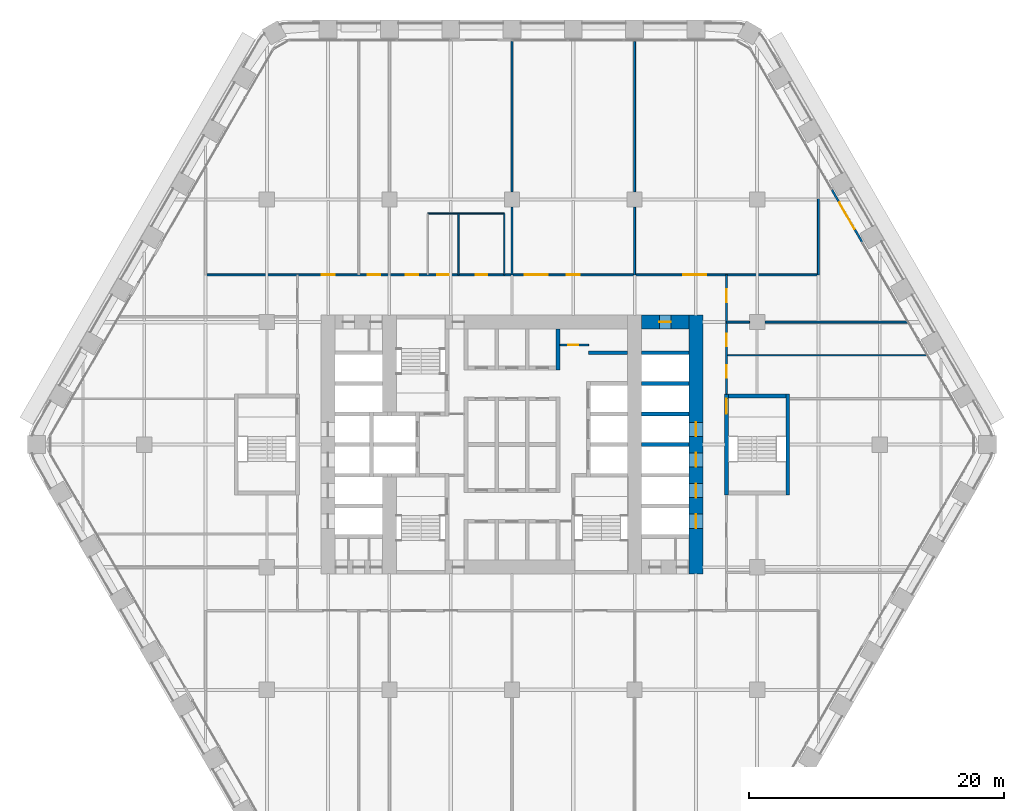
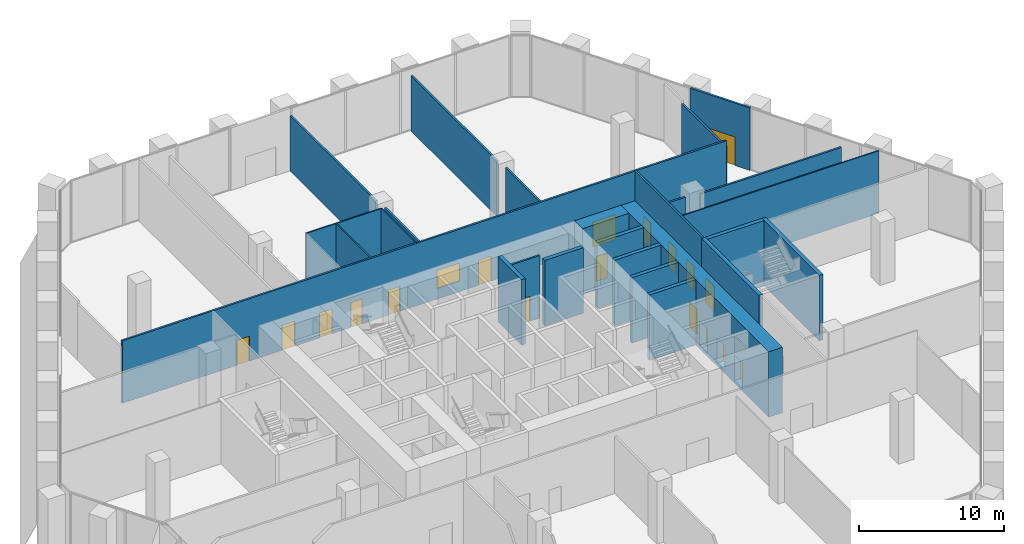
# One storey, part 21 of 27: 26 walls, 18 doors, 1 window, 19 openings.
"""IFC4 building model written with IfcOpenShell, lengths in metres."""

from ifc_helpers import new_model, si_unit, direction, frame, frame_2d, origin, place, context, subcontext, project, spatial, rectangle, extrude, material, layer, layer_set, type_object, element, fill, save


model = new_model("IFC4")

# Units and contexts
model_context = context("Model", 3, precision=1e-05, world=origin(), true_north=direction((0.0, 1.0)))
body_context = subcontext(model_context, "Body", "Model", "MODEL_VIEW")
ifc_project = project(units=[si_unit("LENGTHUNIT", "METRE"), si_unit("AREAUNIT", "SQUARE_METRE"), si_unit("VOLUMEUNIT", "CUBIC_METRE"), si_unit("PLANEANGLEUNIT", "RADIAN"), si_unit("MASSUNIT", "GRAM", prefix="KILO")], contexts=[model_context])

# Site, building, storey
site_placement = place(None, origin())
site = spatial("IfcSite", under=ifc_project, at=site_placement, CompositionType="ELEMENT")
building_placement = place(site_placement, origin())
building = spatial("IfcBuilding", under=site, at=building_placement, Name="Kolab Exchange Tower", CompositionType="ELEMENT")
storey_placement = place(building_placement, frame((0.0, 0.0, 44.39990234375)))
storey = spatial("IfcBuildingStorey", under=building, at=storey_placement, Name="L08", CompositionType="ELEMENT", Elevation=44.39990234375)

# Wall, opening, door
ifc_material_1 = material(Name="Concrete C80/95", Category="concrete")
ifc_layer_1 = layer(ifc_material_1, 1.10009765625)
ifc_layer_set_1 = layer_set([ifc_layer_1], Name="Concrete C80/95")
wall_type_1 = type_object("IfcWallType", Name="CORE WALL 1100 C80/95", PredefinedType="SHEAR", material=ifc_layer_set_1)
wall_1_placement = place(storey_placement, frame((10.14990234375, 9.60009765625, -0.25), z_axis=(0.0, 0.0, 1.0), x_axis=(1.0, 0.0, 0.0)))
wall_1 = element("IfcWall", 1, at=wall_1_placement, inside=storey, type_object=wall_type_1, Name="wall/L08/core/053", PredefinedType="SHEAR", context=body_context, shape_type="SweptSolid", body=[
    extrude(rectangle(XDim=3.7001953125, YDim=1.10009765625, at=frame_2d((1.85009765625, 0.0))), origin(), (0.0, 0.0, 1.0), 5.5),
])
opening_1_placement = place(wall_1_placement, frame((1.39990234375, 0.0, 0.25)))
opening_1 = element("IfcOpeningElement", 2, at=opening_1_placement, cuts=wall_1, Name="Opening D6-114", PredefinedType="OPENING", context=body_context, shape_type="SweptSolid", body=[
    extrude(rectangle(XDim=0.89990234375, YDim=2.10009765625, at=frame_2d((0.449951171875, 1.050048828125))), frame((0.0, 0.56005859375, 0.0), z_axis=(0.0, -1.0, 0.0), x_axis=(1.0, 0.0, 0.0)), (0.0, 0.0, 1.0), 1.1201171875),
])
ifc_material_2 = material(Name="Steel S235", Category="steel")
door_type_1 = type_object("IfcDoorType", Name="CORE DOOR 900 EI 120", OperationType="SINGLE_SWING_LEFT", PredefinedType="DOOR", material=ifc_material_2)
door_1_placement = place(opening_1_placement, frame((0.89990234375, 0.0, 0.0), z_axis=(0.0, 0.0, 1.0), x_axis=(-1.0, 0.0, 0.0)))
door_1 = element("IfcDoor", 3, at=door_1_placement, inside=storey, type_object=door_type_1, Name="Service room door", OperationType="SINGLE_SWING_LEFT", OverallHeight=2.10009765625, OverallWidth=0.89990234375, PredefinedType="DOOR", context=body_context, shape_type="SweptSolid", body=[
    extrude(rectangle(XDim=0.89990234375, YDim=2.10009765625, at=frame_2d((0.449951171875, 1.050048828125))), frame((0.0, 0.02490234375, 0.0), z_axis=(0.0, -1.0, 0.0), x_axis=(1.0, 0.0, 0.0)), (0.0, 0.0, 1.0), 0.050048828125),
])
fill(opening_1, door_1)

# Wall, openings, doors
wall_2_placement = place(storey_placement, frame((14.39990234375, -10.14990234375, -0.25), z_axis=(0.0, 0.0, 1.0), x_axis=(0.0, 1.0, 0.0)))
wall_2 = element("IfcWall", 4, at=wall_2_placement, inside=storey, type_object=wall_type_1, Name="wall/L08/core/081", PredefinedType="SHEAR", context=body_context, shape_type="SweptSolid", body=[
    extrude(rectangle(XDim=20.2998046875, YDim=1.10009765625, at=frame_2d((10.14990234375, 0.0))), origin(), (0.0, 0.0, 1.0), 5.5),
])
opening_2_placement = place(wall_2_placement, frame((3.60009765625, 0.0, 0.25)))
opening_2 = element("IfcOpeningElement", 5, at=opening_2_placement, cuts=wall_2, Name="Opening LD1-037", PredefinedType="OPENING", context=body_context, shape_type="SweptSolid", body=[
    extrude(rectangle(XDim=1.10009765625, YDim=2.10009765625, at=frame_2d((0.550048828125, 1.050048828125))), frame((0.0, 0.56005859375, 0.0), z_axis=(0.0, -1.0, 0.0), x_axis=(1.0, 0.0, 0.0)), (0.0, 0.0, 1.0), 1.1201171875),
])
opening_3_placement = place(wall_2_placement, frame((6.0, 0.0, 0.25)))
opening_3 = element("IfcOpeningElement", 6, at=opening_3_placement, cuts=wall_2, Name="Opening LD1-038", PredefinedType="OPENING", context=body_context, shape_type="SweptSolid", body=[
    extrude(rectangle(XDim=1.10009765625, YDim=2.10009765625, at=frame_2d((0.550048828125, 1.050048828125))), frame((0.0, 0.56005859375, 0.0), z_axis=(0.0, -1.0, 0.0), x_axis=(1.0, 0.0, 0.0)), (0.0, 0.0, 1.0), 1.1201171875),
])
opening_4_placement = place(wall_2_placement, frame((8.39990234375, 0.0, 0.25)))
opening_4 = element("IfcOpeningElement", 7, at=opening_4_placement, cuts=wall_2, Name="Opening LD1-039", PredefinedType="OPENING", context=body_context, shape_type="SweptSolid", body=[
    extrude(rectangle(XDim=1.10009765625, YDim=2.10009765625, at=frame_2d((0.550048828125, 1.050048828125))), frame((0.0, 0.56005859375, 0.0), z_axis=(0.0, -1.0, 0.0), x_axis=(1.0, 0.0, 0.0)), (0.0, 0.0, 1.0), 1.1201171875),
])
opening_5_placement = place(wall_2_placement, frame((10.800048828125, 0.0, 0.25)))
opening_5 = element("IfcOpeningElement", 8, at=opening_5_placement, cuts=wall_2, Name="Opening LD1-040", PredefinedType="OPENING", context=body_context, shape_type="SweptSolid", body=[
    extrude(rectangle(XDim=1.10009765625, YDim=2.10009765625, at=frame_2d((0.550048828125, 1.050048828125))), frame((0.0, 0.56005859375, 0.0), z_axis=(0.0, -1.0, 0.0), x_axis=(1.0, 0.0, 0.0)), (0.0, 0.0, 1.0), 1.1201171875),
])
ifc_material_3 = material(Name="Stainless steel 316", Category="steel")
door_type_2 = type_object("IfcDoorType", Name="LANDING DOOR 1100 PASSENGER", OperationType="DOUBLE_DOOR_SLIDING", PredefinedType="DOOR", material=ifc_material_3)
door_2_placement = place(opening_2_placement, origin())
door_2 = element("IfcDoor", 9, at=door_2_placement, inside=storey, type_object=door_type_2, Name="Landing door LR1", OperationType="DOUBLE_DOOR_SLIDING", OverallHeight=2.10009765625, OverallWidth=1.10009765625, PredefinedType="DOOR", context=body_context, shape_type="SweptSolid", body=[
    extrude(rectangle(XDim=1.10009765625, YDim=2.10009765625, at=frame_2d((0.550048828125, 1.050048828125))), frame((0.0, 0.02490234375, 0.0), z_axis=(0.0, -1.0, 0.0), x_axis=(1.0, 0.0, 0.0)), (0.0, 0.0, 1.0), 0.050048828125),
])
fill(opening_2, door_2)
door_3_placement = place(opening_3_placement, origin())
door_3 = element("IfcDoor", 10, at=door_3_placement, inside=storey, type_object=door_type_2, Name="Landing door LR2", OperationType="DOUBLE_DOOR_SLIDING", OverallHeight=2.10009765625, OverallWidth=1.10009765625, PredefinedType="DOOR", context=body_context, shape_type="SweptSolid", body=[
    extrude(rectangle(XDim=1.10009765625, YDim=2.10009765625, at=frame_2d((0.550048828125, 1.050048828125))), frame((0.0, 0.02490234375, 0.0), z_axis=(0.0, -1.0, 0.0), x_axis=(1.0, 0.0, 0.0)), (0.0, 0.0, 1.0), 0.050048828125),
])
fill(opening_3, door_3)
door_4_placement = place(opening_4_placement, origin())
door_4 = element("IfcDoor", 11, at=door_4_placement, inside=storey, type_object=door_type_2, Name="Landing door LR3", OperationType="DOUBLE_DOOR_SLIDING", OverallHeight=2.10009765625, OverallWidth=1.10009765625, PredefinedType="DOOR", context=body_context, shape_type="SweptSolid", body=[
    extrude(rectangle(XDim=1.10009765625, YDim=2.10009765625, at=frame_2d((0.550048828125, 1.050048828125))), frame((0.0, 0.02490234375, 0.0), z_axis=(0.0, -1.0, 0.0), x_axis=(1.0, 0.0, 0.0)), (0.0, 0.0, 1.0), 0.050048828125),
])
fill(opening_4, door_4)
door_5_placement = place(opening_5_placement, origin())
door_5 = element("IfcDoor", 12, at=door_5_placement, inside=storey, type_object=door_type_2, Name="Landing door LR4", OperationType="DOUBLE_DOOR_SLIDING", OverallHeight=2.10009765625, OverallWidth=1.10009765625, PredefinedType="DOOR", context=body_context, shape_type="SweptSolid", body=[
    extrude(rectangle(XDim=1.10009765625, YDim=2.10009765625, at=frame_2d((0.550048828125, 1.050048828125))), frame((0.0, 0.02490234375, 0.0), z_axis=(0.0, -1.0, 0.0), x_axis=(1.0, 0.0, 0.0)), (0.0, 0.0, 1.0), 0.050048828125),
])
fill(opening_5, door_5)

# Wall, opening, door
ifc_material_4 = material(Name="Aluminium EN AW-6063 T6", Category="aluminium")
ifc_layer_2 = layer(ifc_material_4, 0.159912109375)
ifc_layer_set_2 = layer_set([ifc_layer_2], Name="Aluminium EN AW-6063 T6")
wall_type_2 = type_object("IfcWallType", Name="DOOR SURROUND WALL 160 ALUMINIUM FRAMED", PredefinedType="PARTITIONING", material=ifc_layer_set_2)
wall_3_placement = place(storey_placement, frame((25.046630859375, 19.96875, 0.0), z_axis=(0.0, 0.0, 1.0), x_axis=(0.5000167099, -0.866015756104, 0.0)))
wall_3 = element("IfcWall", 13, at=wall_3_placement, inside=storey, type_object=wall_type_2, Name="Door surround wall", PredefinedType="PARTITIONING", context=body_context, shape_type="SweptSolid", body=[
    extrude(rectangle(XDim=4.739990234375, YDim=0.159912109375, at=frame_2d((2.3701171875, 0.0))), origin(), (0.0, 0.0, 1.0), 5.25),
])
opening_6_placement = place(wall_3_placement, frame((1.169921875, 0.0, 0.0)))
opening_6 = element("IfcOpeningElement", 14, at=opening_6_placement, cuts=wall_3, Name="Opening GD1-018", PredefinedType="OPENING", context=body_context, shape_type="SweptSolid", body=[
    extrude(rectangle(XDim=2.39990234375, YDim=2.39990234375, at=frame_2d((1.199951171875, 1.199951171875))), frame((0.0, 0.08984375, 0.0), z_axis=(0.0, -1.0, 0.0), x_axis=(1.0, 0.0, 0.0)), (0.0, 0.0, 1.0), 0.179931640625),
])
door_type_3 = type_object("IfcDoorType", Name="LOGGIA SLIDING GLASS DOOR 2400 X 2400", OperationType="DOUBLE_DOOR_SINGLE_SWING", PredefinedType="DOOR", material=ifc_material_4)
door_6_placement = place(opening_6_placement, origin())
door_6 = element("IfcDoor", 15, at=door_6_placement, inside=storey, type_object=door_type_3, Name="Loggia door", OperationType="DOUBLE_DOOR_SLIDING", OverallHeight=2.39990234375, OverallWidth=2.39990234375, PredefinedType="DOOR", context=body_context, shape_type="SweptSolid", body=[
    extrude(rectangle(XDim=2.39990234375, YDim=2.39990234375, at=frame_2d((1.199951171875, 1.199951171875))), frame((0.0, 0.02490234375, 0.0), z_axis=(0.0, -1.0, 0.0), x_axis=(1.0, 0.0, 0.0)), (0.0, 0.0, 1.0), 0.050048828125),
])
fill(opening_6, door_6)

# Walls
ifc_material_5 = material(Name="Concrete C50/60", Category="concrete")
ifc_layer_3 = layer(ifc_material_5, 0.300048828125)
ifc_layer_set_3 = layer_set([ifc_layer_3], Name="Concrete C50/60")
wall_type_3 = type_object("IfcWallType", Name="LIFT SHAFT WALL 300 C50/60", PredefinedType="STANDARD", material=ifc_layer_set_3)
for number, where, z_axis, x_axis, name in (
    (16, (10.14990234375, 0.0, -0.25), (0.0, 0.0, 1.0), (1.0, 0.0, 0.0), "wall/L08/core/030"),
    (17, (10.14990234375, 2.39990234375, -0.25), (0.0, 0.0, 1.0), (1.0, 0.0, 0.0), "wall/L08/core/036"),
    (18, (10.14990234375, 4.800048828125, -0.25), (0.0, 0.0, 1.0), (1.0, 0.0, 0.0), "wall/L08/core/044"),
):
    element("IfcWall", number, at=place(storey_placement, frame(where, z_axis=z_axis, x_axis=x_axis)), inside=storey, type_object=wall_type_3, Name=name, PredefinedType="STANDARD", context=body_context, shape_type="SweptSolid", body=[
        extrude(rectangle(XDim=3.7001953125, YDim=0.300048828125, at=frame_2d((1.85009765625, 0.0))), origin(), (0.0, 0.0, 1.0), 5.5),
    ])
wall_4_placement = place(storey_placement, frame((6.0, 7.199951171875, -0.25), z_axis=(0.0, 0.0, 1.0), x_axis=(1.0, 0.0, 0.0)))
element("IfcWall", 19, at=wall_4_placement, inside=storey, type_object=wall_type_3, Name="wall/L08/core/049", PredefinedType="STANDARD", context=body_context, shape_type="SweptSolid", body=[
    extrude(rectangle(XDim=3.050048828125, YDim=0.300048828125, at=frame_2d((1.52490234375, 0.0))), origin(), (0.0, 0.0, 1.0), 5.5),
])
wall_5_placement = place(storey_placement, frame((10.14990234375, 7.199951171875, -0.25), z_axis=(0.0, 0.0, 1.0), x_axis=(1.0, 0.0, 0.0)))
element("IfcWall", 20, at=wall_5_placement, inside=storey, type_object=wall_type_3, Name="wall/L08/core/050", PredefinedType="STANDARD", context=body_context, shape_type="SweptSolid", body=[
    extrude(rectangle(XDim=3.7001953125, YDim=0.300048828125, at=frame_2d((1.85009765625, 0.0))), origin(), (0.0, 0.0, 1.0), 5.5),
])
wall_6_placement = place(storey_placement, frame((3.60009765625, 5.85009765625, -0.25), z_axis=(0.0, 0.0, 1.0), x_axis=(0.0, 1.0, 0.0)))
element("IfcWall", 21, at=wall_6_placement, inside=storey, type_object=wall_type_3, Name="wall/L08/core/077", PredefinedType="STANDARD", context=body_context, shape_type="SweptSolid", body=[
    extrude(rectangle(XDim=3.199951171875, YDim=0.300048828125, at=frame_2d((1.60009765625, 0.0))), origin(), (0.0, 0.0, 1.0), 5.5),
])
ifc_material_6 = material(Name="Gypsum board", Category="gypsum")
ifc_layer_4 = layer(ifc_material_6, 0.10009765625)
ifc_layer_set_4 = layer_set([ifc_layer_4], Name="Gypsum board")
wall_type_4 = type_object("IfcWallType", Name="PARTITION 100", PredefinedType="PARTITIONING", material=ifc_layer_set_4)
for number, where, z_axis, x_axis, name in (
    (22, (-0.60009765625, 13.300048828125, 0.0), (0.0, 0.0, 1.0), (0.0, 1.0, 0.0), "Partition 013"),
    (23, (-4.199951171875, 13.300048828125, 0.0), (0.0, 0.0, 1.0), (0.0, 1.0, 0.0), "Partition 014"),
):
    element("IfcWall", number, at=place(storey_placement, frame(where, z_axis=z_axis, x_axis=x_axis)), inside=storey, type_object=wall_type_4, Name=name, PredefinedType="PARTITIONING", context=body_context, shape_type="SweptSolid", body=[
        extrude(rectangle(XDim=4.800048828125, YDim=0.10009765625, at=frame_2d((2.39990234375, 0.0))), origin(), (0.0, 0.0, 1.0), 5.25),
    ])
wall_7_placement = place(storey_placement, frame((16.800048828125, 7.0, 0.0), z_axis=(0.0, 0.0, 1.0), x_axis=(1.0, 0.0, 0.0)))
element("IfcWall", 24, at=wall_7_placement, inside=storey, type_object=wall_type_4, Name="Partition 039", PredefinedType="PARTITIONING", context=body_context, shape_type="SweptSolid", body=[
    extrude(rectangle(XDim=15.687744140625, YDim=0.10009765625, at=frame_2d((7.84375, 0.0))), origin(), (0.0, 0.0, 1.0), 5.25),
])
wall_8_placement = place(storey_placement, frame((-6.60009765625, 18.10009765625, 0.0), z_axis=(0.0, 0.0, 1.0), x_axis=(1.0, 0.0, 0.0)))
element("IfcWall", 25, at=wall_8_placement, inside=storey, type_object=wall_type_4, Name="Partition 046", PredefinedType="PARTITIONING", context=body_context, shape_type="SweptSolid", body=[
    extrude(rectangle(XDim=6.0, YDim=0.10009765625, at=frame_2d((3.0, 0.0))), origin(), (0.0, 0.0, 1.0), 5.25),
])
ifc_layer_5 = layer(ifc_material_6, 0.14990234375)
ifc_layer_set_5 = layer_set([ifc_layer_5], Name="Gypsum board")
wall_type_5 = type_object("IfcWallType", Name="PARTITION 150 FIRE-RATED", PredefinedType="PARTITIONING", material=ifc_layer_set_5)
wall_9_placement = place(storey_placement, frame((24.0, 13.300048828125, 0.0), z_axis=(0.0, 0.0, 1.0), x_axis=(0.0, 1.0, 0.0)))
element("IfcWall", 26, at=wall_9_placement, inside=storey, type_object=wall_type_5, Name="Partition 001", PredefinedType="PARTITIONING", context=body_context, shape_type="SweptSolid", body=[
    extrude(rectangle(XDim=5.973876953125, YDim=0.14990234375, at=frame_2d((2.98681640625, 0.0))), origin(), (0.0, 0.0, 1.0), 4.717041015625),
])

# Wall, openings, doors
wall_10_placement = place(storey_placement, frame((16.800048828125, 3.949951171875, 0.0), z_axis=(0.0, 0.0, 1.0), x_axis=(0.0, 1.0, 0.0)))
wall_10 = element("IfcWall", 27, at=wall_10_placement, inside=storey, type_object=wall_type_5, Name="Partition 003", PredefinedType="PARTITIONING", context=body_context, shape_type="SweptSolid", body=[
    extrude(rectangle(XDim=9.35009765625, YDim=0.14990234375, at=frame_2d((4.675048828125, 0.0))), origin(), (0.0, 0.0, 1.0), 5.25),
])
opening_7_placement = place(wall_10_placement, frame((1.27490234375, 0.0, 0.0)))
opening_7 = element("IfcOpeningElement", 28, at=opening_7_placement, cuts=wall_10, Name="Opening D1-117", PredefinedType="OPENING", context=body_context, shape_type="SweptSolid", body=[
    extrude(rectangle(XDim=1.0, YDim=2.10009765625, at=frame_2d((0.5, 1.050048828125))), frame((0.0, 0.0849609375, 0.0), z_axis=(0.0, -1.0, 0.0), x_axis=(1.0, 0.0, 0.0)), (0.0, 0.0, 1.0), 0.169921875),
])
opening_8_placement = place(wall_10_placement, frame((3.7451171875, 0.0, 0.0)))
opening_8 = element("IfcOpeningElement", 29, at=opening_8_placement, cuts=wall_10, Name="Opening D1-118", PredefinedType="OPENING", context=body_context, shape_type="SweptSolid", body=[
    extrude(rectangle(XDim=1.0, YDim=2.10009765625, at=frame_2d((0.5, 1.050048828125))), frame((0.0, 0.0849609375, 0.0), z_axis=(0.0, -1.0, 0.0), x_axis=(1.0, 0.0, 0.0)), (0.0, 0.0, 1.0), 0.169921875),
])
opening_9_placement = place(wall_10_placement, frame((7.199951171875, 0.0, 0.0)))
opening_9 = element("IfcOpeningElement", 30, at=opening_9_placement, cuts=wall_10, Name="Opening D1-119", PredefinedType="OPENING", context=body_context, shape_type="SweptSolid", body=[
    extrude(rectangle(XDim=1.0, YDim=2.10009765625, at=frame_2d((0.5, 1.050048828125))), frame((0.0, 0.0849609375, 0.0), z_axis=(0.0, -1.0, 0.0), x_axis=(1.0, 0.0, 0.0)), (0.0, 0.0, 1.0), 0.169921875),
])
door_type_4 = type_object("IfcDoorType", Name="FLUSH DOOR 1000 FD60", OperationType="SINGLE_SWING_LEFT", PredefinedType="DOOR", material=ifc_material_2)
door_7_placement = place(opening_7_placement, frame((1.0, 0.0, 0.0), z_axis=(0.0, 0.0, 1.0), x_axis=(-1.0, 0.0, 0.0)))
door_7 = element("IfcDoor", 31, at=door_7_placement, inside=storey, type_object=door_type_4, Name="Door L08-061", OperationType="SINGLE_SWING_RIGHT", OverallHeight=2.10009765625, OverallWidth=1.0, PredefinedType="DOOR", context=body_context, shape_type="SweptSolid", body=[
    extrude(rectangle(XDim=1.0, YDim=2.10009765625, at=frame_2d((0.5, 1.050048828125))), frame((0.0, 0.02490234375, 0.0), z_axis=(0.0, -1.0, 0.0), x_axis=(1.0, 0.0, 0.0)), (0.0, 0.0, 1.0), 0.050048828125),
])
fill(opening_7, door_7)
door_8_placement = place(opening_8_placement, frame((1.0, 0.0, 0.0), z_axis=(0.0, 0.0, 1.0), x_axis=(-1.0, 0.0, 0.0)))
door_8 = element("IfcDoor", 32, at=door_8_placement, inside=storey, type_object=door_type_4, Name="Door L08-062", OperationType="SINGLE_SWING_LEFT", OverallHeight=2.10009765625, OverallWidth=1.0, PredefinedType="DOOR", context=body_context, shape_type="SweptSolid", body=[
    extrude(rectangle(XDim=1.0, YDim=2.10009765625, at=frame_2d((0.5, 1.050048828125))), frame((0.0, 0.02490234375, 0.0), z_axis=(0.0, -1.0, 0.0), x_axis=(1.0, 0.0, 0.0)), (0.0, 0.0, 1.0), 0.050048828125),
])
fill(opening_8, door_8)
door_9_placement = place(opening_9_placement, frame((1.0, 0.0, 0.0), z_axis=(0.0, 0.0, 1.0), x_axis=(-1.0, 0.0, 0.0)))
door_9 = element("IfcDoor", 33, at=door_9_placement, inside=storey, type_object=door_type_4, Name="Door L08-063", OperationType="SINGLE_SWING_RIGHT", OverallHeight=2.10009765625, OverallWidth=1.0, PredefinedType="DOOR", context=body_context, shape_type="SweptSolid", body=[
    extrude(rectangle(XDim=1.0, YDim=2.10009765625, at=frame_2d((0.5, 1.050048828125))), frame((0.0, 0.02490234375, 0.0), z_axis=(0.0, -1.0, 0.0), x_axis=(1.0, 0.0, 0.0)), (0.0, 0.0, 1.0), 0.050048828125),
])
fill(opening_9, door_9)

# Walls
wall_11_placement = place(storey_placement, frame((9.60009765625, 13.300048828125, 0.0), z_axis=(0.0, 0.0, 1.0), x_axis=(0.0, 1.0, 0.0)))
element("IfcWall", 34, at=wall_11_placement, inside=storey, type_object=wall_type_5, Name="Partition 007", PredefinedType="PARTITIONING", context=body_context, shape_type="SweptSolid", body=[
    extrude(rectangle(XDim=5.300048828125, YDim=0.14990234375, at=frame_2d((2.64990234375, 0.0))), origin(), (0.0, 0.0, 1.0), 4.793212890625),
])
wall_12_placement = place(storey_placement, frame((9.60009765625, 19.800048828125, 0.0), z_axis=(0.0, 0.0, 1.0), x_axis=(0.0, 1.0, 0.0)))
element("IfcWall", 35, at=wall_12_placement, inside=storey, type_object=wall_type_5, Name="Partition 008", PredefinedType="PARTITIONING", context=body_context, shape_type="SweptSolid", body=[
    extrude(rectangle(XDim=11.785400390625, YDim=0.14990234375, at=frame_2d((5.892578125, 0.0))), origin(), (0.0, 0.0, 1.0), 4.64208984375),
])
wall_13_placement = place(storey_placement, frame((0.0, 13.300048828125, 0.0), z_axis=(0.0, 0.0, 1.0), x_axis=(0.0, 1.0, 0.0)))
element("IfcWall", 36, at=wall_13_placement, inside=storey, type_object=wall_type_5, Name="Partition 011", PredefinedType="PARTITIONING", context=body_context, shape_type="SweptSolid", body=[
    extrude(rectangle(XDim=5.300048828125, YDim=0.14990234375, at=frame_2d((2.64990234375, 0.0))), origin(), (0.0, 0.0, 1.0), 4.793212890625),
])
wall_14_placement = place(storey_placement, frame((0.0, 19.800048828125, 0.0), z_axis=(0.0, 0.0, 1.0), x_axis=(0.0, 1.0, 0.0)))
element("IfcWall", 37, at=wall_14_placement, inside=storey, type_object=wall_type_5, Name="Partition 012", PredefinedType="PARTITIONING", context=body_context, shape_type="SweptSolid", body=[
    extrude(rectangle(XDim=11.79541015625, YDim=0.14990234375, at=frame_2d((5.897705078125, 0.0))), origin(), (0.0, 0.0, 1.0), 4.64208984375),
])

# Wall, opening, door
wall_15_placement = place(storey_placement, frame((3.75, 7.800048828125, 0.0), z_axis=(0.0, 0.0, 1.0), x_axis=(1.0, 0.0, 0.0)))
wall_15 = element("IfcWall", 38, at=wall_15_placement, inside=storey, type_object=wall_type_5, Name="Partition 040", PredefinedType="PARTITIONING", context=body_context, shape_type="SweptSolid", body=[
    extrude(rectangle(XDim=2.25, YDim=0.14990234375, at=frame_2d((1.125, 0.0))), origin(), (0.0, 0.0, 1.0), 5.25),
])
opening_10_placement = place(wall_15_placement, frame((0.64990234375, 0.0, 0.0)))
opening_10 = element("IfcOpeningElement", 39, at=opening_10_placement, cuts=wall_15, Name="Opening D7-009", PredefinedType="OPENING", context=body_context, shape_type="SweptSolid", body=[
    extrude(rectangle(XDim=0.800048828125, YDim=2.10009765625, at=frame_2d((0.39990234375, 1.050048828125))), frame((0.0, 0.0849609375, 0.0), z_axis=(0.0, -1.0, 0.0), x_axis=(1.0, 0.0, 0.0)), (0.0, 0.0, 1.0), 0.169921875),
])
door_type_5 = type_object("IfcDoorType", Name="FLUSH DOOR 800 FD60", OperationType="SINGLE_SWING_LEFT", PredefinedType="DOOR", material=ifc_material_2)
door_10_placement = place(opening_10_placement, origin())
door_10 = element("IfcDoor", 40, at=door_10_placement, inside=storey, type_object=door_type_5, Name="Door L08-041", OperationType="SINGLE_SWING_LEFT", OverallHeight=2.10009765625, OverallWidth=0.800048828125, PredefinedType="DOOR", context=body_context, shape_type="SweptSolid", body=[
    extrude(rectangle(XDim=0.800048828125, YDim=2.10009765625, at=frame_2d((0.39990234375, 1.050048828125))), frame((0.0, 0.02490234375, 0.0), z_axis=(0.0, -1.0, 0.0), x_axis=(1.0, 0.0, 0.0)), (0.0, 0.0, 1.0), 0.050048828125),
])
fill(opening_10, door_10)

# Walls
wall_16_placement = place(storey_placement, frame((16.800048828125, 9.60009765625, 0.0), z_axis=(0.0, 0.0, 1.0), x_axis=(1.0, 0.0, 0.0)))
element("IfcWall", 41, at=wall_16_placement, inside=storey, type_object=wall_type_5, Name="Partition 041", PredefinedType="PARTITIONING", context=body_context, shape_type="SweptSolid", body=[
    extrude(rectangle(XDim=1.800048828125, YDim=0.14990234375, at=frame_2d((0.89990234375, 0.0))), origin(), (0.0, 0.0, 1.0), 4.64208984375),
])
wall_17_placement = place(storey_placement, frame((19.800048828125, 9.60009765625, 0.0), z_axis=(0.0, 0.0, 1.0), x_axis=(1.0, 0.0, 0.0)))
element("IfcWall", 42, at=wall_17_placement, inside=storey, type_object=wall_type_5, Name="Partition 042", PredefinedType="PARTITIONING", context=body_context, shape_type="SweptSolid", body=[
    extrude(rectangle(XDim=11.186767578125, YDim=0.14990234375, at=frame_2d((5.59326171875, 0.0))), origin(), (0.0, 0.0, 1.0), 4.488037109375),
])

# Wall, openings, doors, window
wall_18_placement = place(storey_placement, frame((-24.0, 13.300048828125, 0.0), z_axis=(0.0, 0.0, 1.0), x_axis=(1.0, 0.0, 0.0)))
wall_18 = element("IfcWall", 43, at=wall_18_placement, inside=storey, type_object=wall_type_5, Name="Partition 045", PredefinedType="PARTITIONING", context=body_context, shape_type="SweptSolid", body=[
    extrude(rectangle(XDim=48.0, YDim=0.14990234375, at=frame_2d((24.0, 0.0))), origin(), (0.0, 0.0, 1.0), 5.25),
])
opening_11_placement = place(wall_18_placement, frame((9.10009765625, 0.0, 0.0)))
opening_11 = element("IfcOpeningElement", 44, at=opening_11_placement, cuts=wall_18, Name="Opening D1-109", PredefinedType="OPENING", context=body_context, shape_type="SweptSolid", body=[
    extrude(rectangle(XDim=1.0, YDim=2.10009765625, at=frame_2d((0.5, 1.050048828125))), frame((0.0, 0.0849609375, 0.0), z_axis=(0.0, -1.0, 0.0), x_axis=(1.0, 0.0, 0.0)), (0.0, 0.0, 1.0), 0.169921875),
])
opening_12_placement = place(wall_18_placement, frame((12.699951171875, 0.0, 0.0)))
opening_12 = element("IfcOpeningElement", 45, at=opening_12_placement, cuts=wall_18, Name="Opening D1-110", PredefinedType="OPENING", context=body_context, shape_type="SweptSolid", body=[
    extrude(rectangle(XDim=1.0, YDim=2.10009765625, at=frame_2d((0.5, 1.050048828125))), frame((0.0, 0.0849609375, 0.0), z_axis=(0.0, -1.0, 0.0), x_axis=(1.0, 0.0, 0.0)), (0.0, 0.0, 1.0), 0.169921875),
])
opening_13_placement = place(wall_18_placement, frame((15.675048828125, 0.0, 0.0)))
opening_13 = element("IfcOpeningElement", 46, at=opening_13_placement, cuts=wall_18, Name="Opening D1-111", PredefinedType="OPENING", context=body_context, shape_type="SweptSolid", body=[
    extrude(rectangle(XDim=1.0, YDim=2.10009765625, at=frame_2d((0.5, 1.050048828125))), frame((0.0, 0.0849609375, 0.0), z_axis=(0.0, -1.0, 0.0), x_axis=(1.0, 0.0, 0.0)), (0.0, 0.0, 1.0), 0.169921875),
])
opening_14_placement = place(wall_18_placement, frame((28.300048828125, 0.0, 0.0)))
opening_14 = element("IfcOpeningElement", 47, at=opening_14_placement, cuts=wall_18, Name="Opening D1-112", PredefinedType="OPENING", context=body_context, shape_type="SweptSolid", body=[
    extrude(rectangle(XDim=1.0, YDim=2.10009765625, at=frame_2d((0.5, 1.050048828125))), frame((0.0, 0.0849609375, 0.0), z_axis=(0.0, -1.0, 0.0), x_axis=(1.0, 0.0, 0.0)), (0.0, 0.0, 1.0), 0.169921875),
])
opening_15_placement = place(wall_18_placement, frame((37.425048828125, 0.0, 0.0)))
opening_15 = element("IfcOpeningElement", 48, at=opening_15_placement, cuts=wall_18, Name="Opening D2-022", PredefinedType="OPENING", context=body_context, shape_type="SweptSolid", body=[
    extrude(rectangle(XDim=1.800048828125, YDim=2.10009765625, at=frame_2d((0.89990234375, 1.050048828125))), frame((0.0, 0.0849609375, 0.0), z_axis=(0.0, -1.0, 0.0), x_axis=(1.0, 0.0, 0.0)), (0.0, 0.0, 1.0), 0.169921875),
])
opening_16_placement = place(wall_18_placement, frame((21.14990234375, 0.0, 0.0)))
opening_16 = element("IfcOpeningElement", 49, at=opening_16_placement, cuts=wall_18, Name="Opening D3-013", PredefinedType="OPENING", context=body_context, shape_type="SweptSolid", body=[
    extrude(rectangle(XDim=0.89990234375, YDim=2.10009765625, at=frame_2d((0.449951171875, 1.050048828125))), frame((0.0, 0.0849609375, 0.0), z_axis=(0.0, -1.0, 0.0), x_axis=(1.0, 0.0, 0.0)), (0.0, 0.0, 1.0), 0.169921875),
])
opening_17_placement = place(wall_18_placement, frame((18.14990234375, 0.0, 0.0)))
opening_17 = element("IfcOpeningElement", 50, at=opening_17_placement, cuts=wall_18, Name="Opening D3-014", PredefinedType="OPENING", context=body_context, shape_type="SweptSolid", body=[
    extrude(rectangle(XDim=0.89990234375, YDim=2.10009765625, at=frame_2d((0.449951171875, 1.050048828125))), frame((0.0, 0.0849609375, 0.0), z_axis=(0.0, -1.0, 0.0), x_axis=(1.0, 0.0, 0.0)), (0.0, 0.0, 1.0), 0.169921875),
])
opening_18_placement = place(wall_18_placement, frame((25.0, 0.0, 0.89990234375)))
opening_18 = element("IfcOpeningElement", 51, at=opening_18_placement, cuts=wall_18, Name="Opening W1-003", PredefinedType="OPENING", context=body_context, shape_type="SweptSolid", body=[
    extrude(rectangle(XDim=1.800048828125, YDim=1.5, at=frame_2d((0.89990234375, 0.75))), frame((0.0, 0.0849609375, 0.0), z_axis=(0.0, -1.0, 0.0), x_axis=(1.0, 0.0, 0.0)), (0.0, 0.0, 1.0), 0.169921875),
])
door_type_6 = type_object("IfcDoorType", Name="DOUBLE DOOR 1800 FD60", OperationType="DOUBLE_DOOR_SINGLE_SWING", PredefinedType="DOOR", material=ifc_material_2)
door_11_placement = place(opening_15_placement, origin())
door_11 = element("IfcDoor", 52, at=door_11_placement, inside=storey, type_object=door_type_6, Name="Door L08-053", OperationType="SINGLE_SWING_LEFT", OverallHeight=2.10009765625, OverallWidth=1.800048828125, PredefinedType="DOOR", context=body_context, shape_type="SweptSolid", body=[
    extrude(rectangle(XDim=1.800048828125, YDim=2.10009765625, at=frame_2d((0.89990234375, 1.050048828125))), frame((0.0, 0.02490234375, 0.0), z_axis=(0.0, -1.0, 0.0), x_axis=(1.0, 0.0, 0.0)), (0.0, 0.0, 1.0), 0.050048828125),
])
fill(opening_15, door_11)
door_12_placement = place(opening_11_placement, origin())
door_12 = element("IfcDoor", 53, at=door_12_placement, inside=storey, type_object=door_type_4, Name="Door L08-049", OperationType="SINGLE_SWING_RIGHT", OverallHeight=2.10009765625, OverallWidth=1.0, PredefinedType="DOOR", context=body_context, shape_type="SweptSolid", body=[
    extrude(rectangle(XDim=1.0, YDim=2.10009765625, at=frame_2d((0.5, 1.050048828125))), frame((0.0, 0.02490234375, 0.0), z_axis=(0.0, -1.0, 0.0), x_axis=(1.0, 0.0, 0.0)), (0.0, 0.0, 1.0), 0.050048828125),
])
fill(opening_11, door_12)
door_13_placement = place(opening_12_placement, origin())
door_13 = element("IfcDoor", 54, at=door_13_placement, inside=storey, type_object=door_type_4, Name="Door L08-050", OperationType="SINGLE_SWING_LEFT", OverallHeight=2.10009765625, OverallWidth=1.0, PredefinedType="DOOR", context=body_context, shape_type="SweptSolid", body=[
    extrude(rectangle(XDim=1.0, YDim=2.10009765625, at=frame_2d((0.5, 1.050048828125))), frame((0.0, 0.02490234375, 0.0), z_axis=(0.0, -1.0, 0.0), x_axis=(1.0, 0.0, 0.0)), (0.0, 0.0, 1.0), 0.050048828125),
])
fill(opening_12, door_13)
door_14_placement = place(opening_13_placement, origin())
door_14 = element("IfcDoor", 55, at=door_14_placement, inside=storey, type_object=door_type_4, Name="Door L08-051", OperationType="SINGLE_SWING_RIGHT", OverallHeight=2.10009765625, OverallWidth=1.0, PredefinedType="DOOR", context=body_context, shape_type="SweptSolid", body=[
    extrude(rectangle(XDim=1.0, YDim=2.10009765625, at=frame_2d((0.5, 1.050048828125))), frame((0.0, 0.02490234375, 0.0), z_axis=(0.0, -1.0, 0.0), x_axis=(1.0, 0.0, 0.0)), (0.0, 0.0, 1.0), 0.050048828125),
])
fill(opening_13, door_14)
door_15_placement = place(opening_14_placement, origin())
door_15 = element("IfcDoor", 56, at=door_15_placement, inside=storey, type_object=door_type_4, Name="Door L08-052", OperationType="SINGLE_SWING_RIGHT", OverallHeight=2.10009765625, OverallWidth=1.0, PredefinedType="DOOR", context=body_context, shape_type="SweptSolid", body=[
    extrude(rectangle(XDim=1.0, YDim=2.10009765625, at=frame_2d((0.5, 1.050048828125))), frame((0.0, 0.02490234375, 0.0), z_axis=(0.0, -1.0, 0.0), x_axis=(1.0, 0.0, 0.0)), (0.0, 0.0, 1.0), 0.050048828125),
])
fill(opening_14, door_15)
door_type_7 = type_object("IfcDoorType", Name="FLUSH DOOR 900 FD60", OperationType="SINGLE_SWING_LEFT", PredefinedType="DOOR", material=ifc_material_2)
door_16_placement = place(opening_16_placement, origin())
door_16 = element("IfcDoor", 57, at=door_16_placement, inside=storey, type_object=door_type_7, Name="Door L08-069", OperationType="SINGLE_SWING_LEFT", OverallHeight=2.10009765625, OverallWidth=0.89990234375, PredefinedType="DOOR", context=body_context, shape_type="SweptSolid", body=[
    extrude(rectangle(XDim=0.89990234375, YDim=2.10009765625, at=frame_2d((0.449951171875, 1.050048828125))), frame((0.0, 0.02490234375, 0.0), z_axis=(0.0, -1.0, 0.0), x_axis=(1.0, 0.0, 0.0)), (0.0, 0.0, 1.0), 0.050048828125),
])
fill(opening_16, door_16)
door_17_placement = place(opening_17_placement, origin())
door_17 = element("IfcDoor", 58, at=door_17_placement, inside=storey, type_object=door_type_7, Name="Door L08-070", OperationType="SINGLE_SWING_LEFT", OverallHeight=2.10009765625, OverallWidth=0.89990234375, PredefinedType="DOOR", context=body_context, shape_type="SweptSolid", body=[
    extrude(rectangle(XDim=0.89990234375, YDim=2.10009765625, at=frame_2d((0.449951171875, 1.050048828125))), frame((0.0, 0.02490234375, 0.0), z_axis=(0.0, -1.0, 0.0), x_axis=(1.0, 0.0, 0.0)), (0.0, 0.0, 1.0), 0.050048828125),
])
fill(opening_17, door_17)
ifc_material_7 = material(Name="Fire-rated glazing", Category="glass")
window_type = type_object("IfcWindowType", Name="OBSERVATION WINDOW 1800 X 1500 EI 60", PartitioningType="SINGLE_PANEL", PredefinedType="WINDOW", material=ifc_material_7)
window_placement = place(opening_18_placement, origin())
window = element("IfcWindow", 59, at=window_placement, inside=storey, type_object=window_type, Name="Viewing window L08-2", OverallHeight=1.5, OverallWidth=1.800048828125, PartitioningType="SINGLE_PANEL", PredefinedType="WINDOW", context=body_context, shape_type="SweptSolid", body=[
    extrude(rectangle(XDim=1.800048828125, YDim=1.5, at=frame_2d((0.89990234375, 0.75))), frame((0.0, 0.030029296875, 0.0), z_axis=(0.0, -1.0, 0.0), x_axis=(1.0, 0.0, 0.0)), (0.0, 0.0, 1.0), 0.06005859375),
])
fill(opening_18, window)

# Wall
ifc_layer_6 = layer(ifc_material_5, 0.300048828125)
ifc_layer_set_6 = layer_set([ifc_layer_6], Name="Concrete C50/60")
wall_type_6 = type_object("IfcWallType", Name="STAIR ENCLOSURE WALL 300 C50/60", PredefinedType="STANDARD", material=ifc_layer_set_6)
wall_19_placement = place(storey_placement, frame((16.949951171875, 3.800048828125, -0.25), z_axis=(0.0, 0.0, 1.0), x_axis=(1.0, 0.0, 0.0)))
element("IfcWall", 60, at=wall_19_placement, inside=storey, type_object=wall_type_6, Name="wall/L08/core/041", PredefinedType="STANDARD", context=body_context, shape_type="SweptSolid", body=[
    extrude(rectangle(XDim=4.5, YDim=0.300048828125, at=frame_2d((2.25, 0.0))), origin(), (0.0, 0.0, 1.0), 5.5),
])

# Wall, opening, door
wall_20_placement = place(storey_placement, frame((16.800048828125, -3.949951171875, -0.25), z_axis=(0.0, 0.0, 1.0), x_axis=(0.0, 1.0, 0.0)))
wall_20 = element("IfcWall", 61, at=wall_20_placement, inside=storey, type_object=wall_type_6, Name="wall/L08/core/082", PredefinedType="STANDARD", context=body_context, shape_type="SweptSolid", body=[
    extrude(rectangle(XDim=7.89990234375, YDim=0.300048828125, at=frame_2d((3.949951171875, 0.0))), origin(), (0.0, 0.0, 1.0), 5.5),
])
opening_19_placement = place(wall_20_placement, frame((6.35009765625, 0.0, 0.25)))
opening_19 = element("IfcOpeningElement", 62, at=opening_19_placement, cuts=wall_20, Name="Opening D4-023", PredefinedType="OPENING", context=body_context, shape_type="SweptSolid", body=[
    extrude(rectangle(XDim=1.199951171875, YDim=2.10009765625, at=frame_2d((0.60009765625, 1.050048828125))), frame((0.0, 0.16015625, 0.0), z_axis=(0.0, -1.0, 0.0), x_axis=(1.0, 0.0, 0.0)), (0.0, 0.0, 1.0), 0.320068359375),
])
door_type_8 = type_object("IfcDoorType", Name="STAIR DOOR 1200 EI 120", OperationType="SINGLE_SWING_LEFT", PredefinedType="DOOR", material=ifc_material_2)
door_18_placement = place(opening_19_placement, frame((1.199951171875, 0.0, 0.0), z_axis=(0.0, 0.0, 1.0), x_axis=(-1.0, 0.0, 0.0)))
door_18 = element("IfcDoor", 63, at=door_18_placement, inside=storey, type_object=door_type_8, Name="Stair 4 door", OperationType="SINGLE_SWING_RIGHT", OverallHeight=2.10009765625, OverallWidth=1.199951171875, PredefinedType="DOOR", context=body_context, shape_type="SweptSolid", body=[
    extrude(rectangle(XDim=1.199951171875, YDim=2.10009765625, at=frame_2d((0.60009765625, 1.050048828125))), frame((0.0, 0.02490234375, 0.0), z_axis=(0.0, -1.0, 0.0), x_axis=(1.0, 0.0, 0.0)), (0.0, 0.0, 1.0), 0.050048828125),
])
fill(opening_19, door_18)

# Wall
wall_21_placement = place(storey_placement, frame((21.60009765625, -3.949951171875, -0.25), z_axis=(0.0, 0.0, 1.0), x_axis=(0.0, 1.0, 0.0)))
element("IfcWall", 64, at=wall_21_placement, inside=storey, type_object=wall_type_6, Name="wall/L08/core/083", PredefinedType="STANDARD", context=body_context, shape_type="SweptSolid", body=[
    extrude(rectangle(XDim=7.89990234375, YDim=0.300048828125, at=frame_2d((3.949951171875, 0.0))), origin(), (0.0, 0.0, 1.0), 5.5),
])

save(model, "model.ifc")
